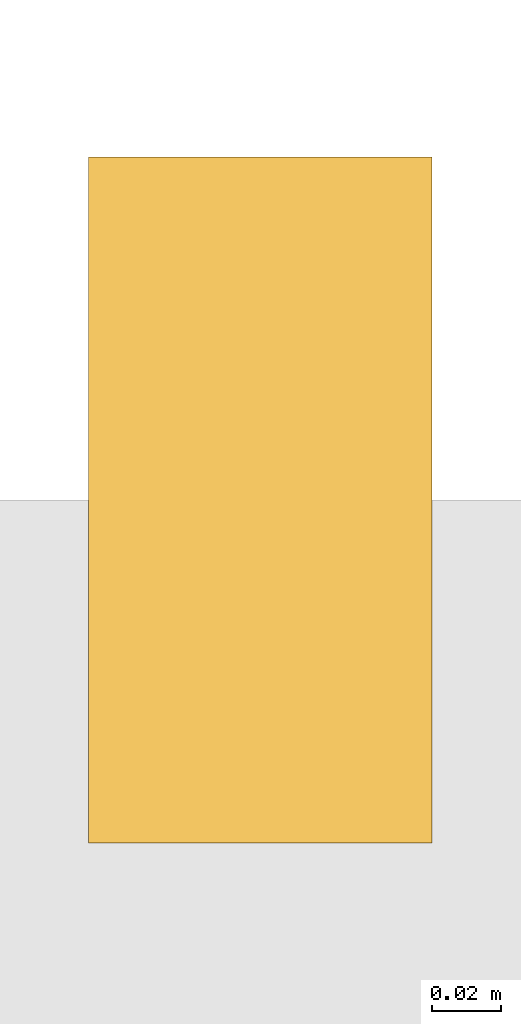
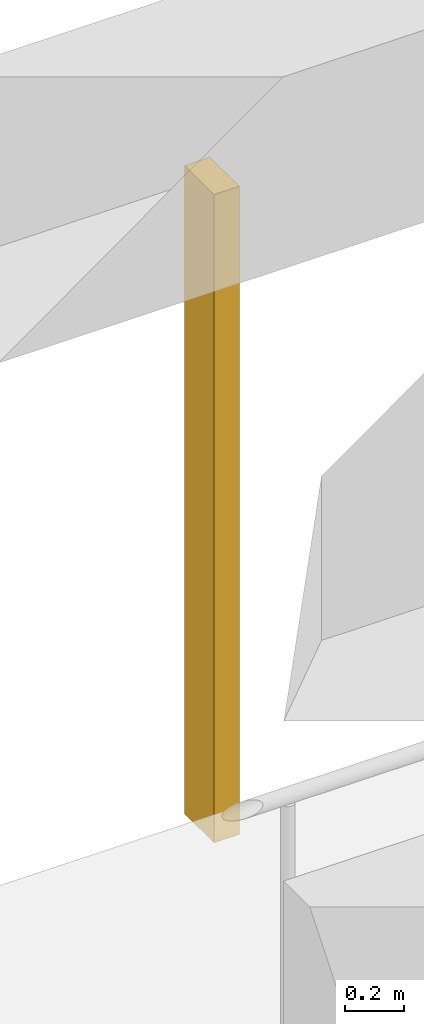
# One storey, part 14 of 20: 1 shading device.
"""IFC4 building model written with IfcOpenShell, lengths in metres."""

from ifc_helpers import new_model, si_unit, direction, frame, origin, origin_2d, place, context, subcontext, project, spatial, rectangle, extrude, material, material_profile, profile_set, type_object, element, save


model = new_model("IFC4")

# Units and contexts
model_context = context("Model", 3, precision=1e-05, world=origin(), true_north=direction((0.0, 1.0)))
body_context = subcontext(model_context, "Body", "Model", "MODEL_VIEW")
ifc_project = project(units=[si_unit("LENGTHUNIT", "METRE"), si_unit("AREAUNIT", "SQUARE_METRE"), si_unit("VOLUMEUNIT", "CUBIC_METRE"), si_unit("PLANEANGLEUNIT", "RADIAN"), si_unit("MASSUNIT", "GRAM", prefix="KILO")], contexts=[model_context])

# Site, building, storey
site_placement = place(None, origin())
site = spatial("IfcSite", under=ifc_project, at=site_placement, CompositionType="ELEMENT")
building_placement = place(site_placement, origin())
building = spatial("IfcBuilding", under=site, at=building_placement, Name="Vermilion Gate Residences", CompositionType="ELEMENT")
storey_placement = place(building_placement, frame((0.0, 0.0, 35.699951171875)))
storey = spatial("IfcBuildingStorey", under=building, at=storey_placement, Name="L07", CompositionType="ELEMENT", Elevation=35.699951171875)

# Shading device
ifc_material = material(Name="Extruded terracotta", Category="masonry")
ifc_material_profile = material_profile(ifc_material, rectangle(XDim=0.199951171875, YDim=0.10009765625, at=origin_2d()), Name="BAGUETTE 100 X 200")
ifc_profile_set = profile_set([ifc_material_profile], Name="Extruded terracotta")
shading_device_type = type_object("IfcShadingDeviceType", Name="TERRACOTTA BAGUETTE 100 X 200", PredefinedType="JALOUSIE", material=ifc_profile_set)
shading_device_placement = place(storey_placement, frame((63.0, 25.5, -0.280029296875), z_axis=(0.0, 0.0, 1.0), x_axis=(0.0, -1.0, 0.0)))
element("IfcShadingDevice", 1, at=shading_device_placement, inside=storey, type_object=shading_device_type, Name="BAGUETTE", PredefinedType="JALOUSIE", context=body_context, shape_type="SweptSolid", body=[
    extrude(rectangle(XDim=0.199951171875, YDim=0.10009765625, at=origin_2d()), origin(), (0.0, 0.0, 1.0), 2.7001953125),
])

save(model, "model.ifc")
